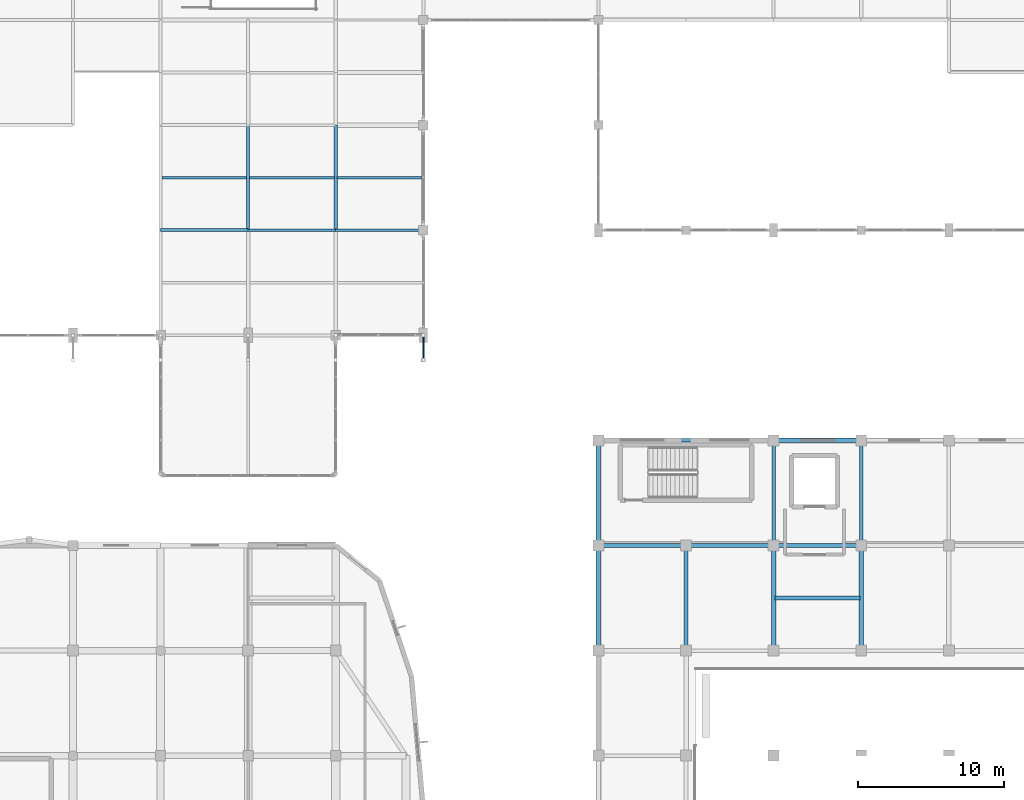
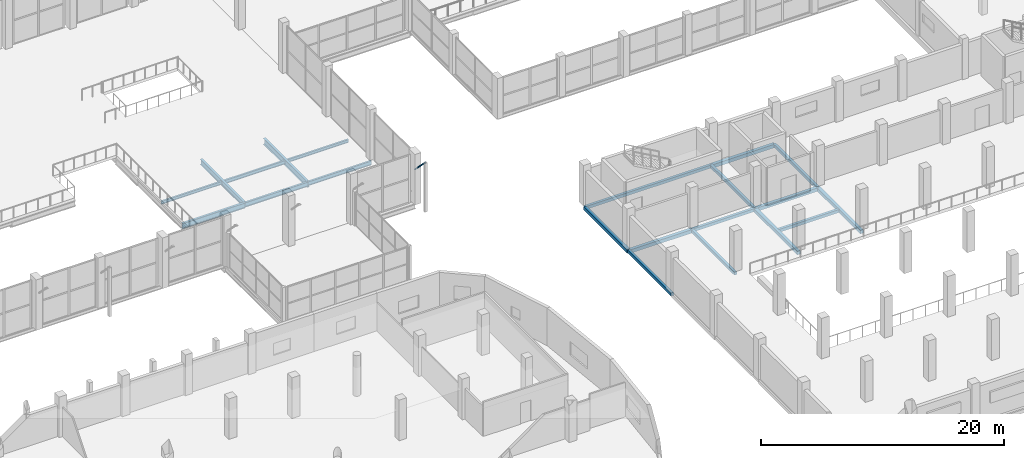
# One storey, part 33 of 127: 21 beams, 1 member.
"""IFC4 building model written with IfcOpenShell, lengths in metres."""

from ifc_helpers import new_model, si_unit, direction, frame, origin, origin_2d, place, context, subcontext, project, spatial, rectangle, hollow_circle, i_section, extrude, material, material_profile, profile_set, type_object, element, save


model = new_model("IFC4")

# Units and contexts
model_context = context("Model", 3, precision=1e-05, world=origin(), true_north=direction((0.0, 1.0)))
body_context = subcontext(model_context, "Body", "Model", "MODEL_VIEW")
ifc_project = project(units=[si_unit("LENGTHUNIT", "METRE"), si_unit("AREAUNIT", "SQUARE_METRE"), si_unit("VOLUMEUNIT", "CUBIC_METRE"), si_unit("PLANEANGLEUNIT", "RADIAN"), si_unit("MASSUNIT", "GRAM", prefix="KILO")], contexts=[model_context])

# Site, building, storey
site_placement = place(None, origin())
site = spatial("IfcSite", under=ifc_project, at=site_placement, CompositionType="ELEMENT")
building_placement = place(site_placement, origin())
building = spatial("IfcBuilding", under=site, at=building_placement, Name="Dunvalen Ferry Terminal", CompositionType="ELEMENT")
storey_placement = place(building_placement, frame((0.0, 0.0, 5.760009765625)))
storey = spatial("IfcBuildingStorey", under=building, at=storey_placement, Name="L01", CompositionType="ELEMENT", Elevation=5.760009765625)

# Beams
ifc_material_1 = material(Name="Concrete C35/45", Category="concrete")
ifc_material_profile_1 = material_profile(ifc_material_1, rectangle(XDim=0.25, YDim=0.300048828125, at=origin_2d()), Name="Concrete C35/45")
ifc_profile_set_1 = profile_set([ifc_material_profile_1], Name="Concrete C35/45")
beam_type_1 = type_object("IfcBeamType", Name="STR-BM-RCL300", PredefinedType="LINTEL", material=ifc_profile_set_1)
beam_1_placement = place(storey_placement, frame((114.0, 36.0, -0.469970703125), z_axis=(1.0, 0.0, 0.0), x_axis=(0.0, 1.0, 0.0)))
element("IfcBeam", 1, at=beam_1_placement, inside=storey, type_object=beam_type_1, Name="L01 V4 Primary Beam X-042", PredefinedType="LINTEL", context=body_context, shape_type="SweptSolid", body=[
    extrude(rectangle(XDim=0.25, YDim=0.300048828125, at=origin_2d()), origin(), (0.0, 0.0, 1.0), 6.0),
])
beam_2_placement = place(storey_placement, frame((108.0, 43.199951171875, -0.469970703125), z_axis=(1.0, 0.0, 0.0), x_axis=(0.0, 1.0, 0.0)))
element("IfcBeam", 2, at=beam_2_placement, inside=storey, type_object=beam_type_1, Name="L01 V4 Primary Beam X-050", PredefinedType="LINTEL", context=body_context, shape_type="SweptSolid", body=[
    extrude(rectangle(XDim=0.25, YDim=0.300048828125, at=origin_2d()), origin(), (0.0, 0.0, 1.0), 12.0),
])
for number, where, z_axis, x_axis, name in (
    (3, (108.0, 28.800048828125, -0.469970703125), (0.0, 1.0, 0.0), (-1.0, 0.0, 0.0), "L01 V4 Primary Girder Y-061"),
    (4, (114.0, 28.800048828125, -0.469970703125), (0.0, 1.0, 0.0), (-1.0, 0.0, 0.0), "L01 V4 Primary Girder Y-067"),
    (5, (120.0, 36.0, -0.469970703125), (0.0, 1.0, 0.0), (-1.0, 0.0, 0.0), "L01 V4 Primary Girder Y-071"),
    (6, (126.0, 36.0, -0.469970703125), (0.0, 1.0, 0.0), (-1.0, 0.0, 0.0), "L01 V4 Primary Girder Y-075"),
):
    element("IfcBeam", number, at=place(storey_placement, frame(where, z_axis=z_axis, x_axis=x_axis)), inside=storey, type_object=beam_type_1, Name=name, PredefinedType="LINTEL", context=body_context, shape_type="SweptSolid", body=[
        extrude(rectangle(XDim=0.25, YDim=0.300048828125, at=origin_2d()), origin(), (0.0, 0.0, 1.0), 7.199951171875),
    ])
beam_3_placement = place(storey_placement, frame((120.10009765625, 32.39990234375, -0.469970703125), z_axis=(1.0, 0.0, 0.0), x_axis=(0.0, 1.0, 0.0)))
element("IfcBeam", 7, at=beam_3_placement, inside=storey, type_object=beam_type_1, Name="L01 V4 Secondary Joist 002", PredefinedType="LINTEL", context=body_context, shape_type="SweptSolid", body=[
    extrude(rectangle(XDim=0.25, YDim=0.300048828125, at=origin_2d()), origin(), (0.0, 0.0, 1.0), 5.7998046875),
])
ifc_material_2 = material(Name="Concrete C40/50", Category="concrete")
ifc_material_profile_2 = material_profile(ifc_material_2, rectangle(XDim=0.300048828125, YDim=0.35009765625, at=origin_2d()), Name="Concrete C40/50")
ifc_profile_set_2 = profile_set([ifc_material_profile_2], Name="Concrete C40/50")
beam_type_2 = type_object("IfcBeamType", Name="STR-BM-RCL350", PredefinedType="LINTEL", material=ifc_profile_set_2)
for number, where, z_axis, x_axis, name in (
    (8, (108.0, 36.0, -0.4951171875), (1.0, 0.0, 0.0), (0.0, 1.0, 0.0), "L01 V4 Primary Beam X-041"),
    (9, (120.0, 36.0, -0.4951171875), (1.0, 0.0, 0.0), (0.0, 1.0, 0.0), "L01 V4 Primary Beam X-043"),
    (10, (120.0, 43.199951171875, -0.4951171875), (1.0, 0.0, 0.0), (0.0, 1.0, 0.0), "L01 V4 Primary Beam X-051"),
):
    element("IfcBeam", number, at=place(storey_placement, frame(where, z_axis=z_axis, x_axis=x_axis)), inside=storey, type_object=beam_type_2, Name=name, PredefinedType="LINTEL", context=body_context, shape_type="SweptSolid", body=[
        extrude(rectangle(XDim=0.300048828125, YDim=0.35009765625, at=origin_2d()), origin(), (0.0, 0.0, 1.0), 6.0),
    ])
for number, where, z_axis, x_axis, name in (
    (11, (108.0, 36.0, -0.4951171875), (0.0, 1.0, 0.0), (-1.0, 0.0, 0.0), "L01 V4 Primary Girder Y-062"),
    (12, (120.0, 28.800048828125, -0.4951171875), (0.0, 1.0, 0.0), (-1.0, 0.0, 0.0), "L01 V4 Primary Girder Y-070"),
    (13, (126.0, 28.800048828125, -0.4951171875), (0.0, 1.0, 0.0), (-1.0, 0.0, 0.0), "L01 V4 Primary Girder Y-074"),
):
    element("IfcBeam", number, at=place(storey_placement, frame(where, z_axis=z_axis, x_axis=x_axis)), inside=storey, type_object=beam_type_2, Name=name, PredefinedType="LINTEL", context=body_context, shape_type="SweptSolid", body=[
        extrude(rectangle(XDim=0.300048828125, YDim=0.35009765625, at=origin_2d()), origin(), (0.0, 0.0, 1.0), 7.199951171875),
    ])
ifc_material_3 = material(Name="Steel S355", Category="steel")
ifc_material_profile_3 = material_profile(ifc_material_3, i_section(OverallWidth=0.1650390625, OverallDepth=0.303466796875, WebThickness=0.006103515625, FlangeThickness=0.01025390625, FilletRadius=0.0087890625, at=origin_2d()), Name="Steel S355")
ifc_profile_set_3 = profile_set([ifc_material_profile_3], Name="Steel S355")
beam_type_3 = type_object("IfcBeamType", Name="STR-BM-UKB305", PredefinedType="JOIST", material=ifc_profile_set_3)
for number, where, z_axis, x_axis, name in (
    (14, (78.10009765625, 61.199951171875, -0.431640625), (1.0, 0.0, 0.0), (0.0, 1.0, 0.0), "L01 V1M Secondary Joist 029"),
    (15, (90.10009765625, 61.199951171875, -0.431640625), (1.0, 0.0, 0.0), (0.0, 1.0, 0.0), "L01 V1M Secondary Joist 035"),
):
    element("IfcBeam", number, at=place(storey_placement, frame(where, z_axis=z_axis, x_axis=x_axis)), inside=storey, type_object=beam_type_3, Name=name, PredefinedType="JOIST", context=body_context, shape_type="SweptSolid", body=[
        extrude(i_section(OverallWidth=0.1650390625, OverallDepth=0.303466796875, WebThickness=0.006103515625, FlangeThickness=0.01025390625, FilletRadius=0.0087890625, at=origin_2d()), origin(), (0.0, 0.0, 1.0), 5.7998046875),
    ])
ifc_material_profile_4 = material_profile(ifc_material_3, i_section(OverallWidth=0.17138671875, OverallDepth=0.35498046875, WebThickness=0.00732421875, FlangeThickness=0.011474609375, FilletRadius=0.01025390625, at=origin_2d()), Name="Steel S355")
ifc_profile_set_4 = profile_set([ifc_material_profile_4], Name="Steel S355")
beam_type_4 = type_object("IfcBeamType", Name="STR-BM-UKB356", PredefinedType="JOIST", material=ifc_profile_set_4)
beam_4_placement = place(storey_placement, frame((84.10009765625, 61.199951171875, -0.45751953125), z_axis=(1.0, 0.0, 0.0), x_axis=(0.0, 1.0, 0.0)))
element("IfcBeam", 16, at=beam_4_placement, inside=storey, type_object=beam_type_4, Name="L01 V1M Secondary Joist 032", PredefinedType="JOIST", context=body_context, shape_type="SweptSolid", body=[
    extrude(i_section(OverallWidth=0.17138671875, OverallDepth=0.35498046875, WebThickness=0.00732421875, FlangeThickness=0.011474609375, FilletRadius=0.01025390625, at=origin_2d()), origin(), (0.0, 0.0, 1.0), 5.7998046875),
])
ifc_material_profile_5 = material_profile(ifc_material_3, i_section(OverallWidth=0.177978515625, OverallDepth=0.406494140625, WebThickness=0.0078125, FlangeThickness=0.0126953125, FilletRadius=0.01025390625, at=origin_2d()), Name="Steel S355")
ifc_profile_set_5 = profile_set([ifc_material_profile_5], Name="Steel S355")
beam_type_5 = type_object("IfcBeamType", Name="STR-BM-UKB406", PredefinedType="JOIST", material=ifc_profile_set_5)
beam_5_placement = place(storey_placement, frame((90.0, 57.60009765625, -0.483154296875), z_axis=(1.0, 0.0, 0.0), x_axis=(0.0, 1.0, 0.0)))
element("IfcBeam", 17, at=beam_5_placement, inside=storey, type_object=beam_type_5, Name="L01 V1M Primary Beam X-014", PredefinedType="JOIST", context=body_context, shape_type="SweptSolid", body=[
    extrude(i_section(OverallWidth=0.177978515625, OverallDepth=0.406494140625, WebThickness=0.0078125, FlangeThickness=0.0126953125, FilletRadius=0.01025390625, at=origin_2d()), origin(), (0.0, 0.0, 1.0), 6.0),
])
ifc_material_profile_6 = material_profile(ifc_material_3, i_section(OverallWidth=0.1904296875, OverallDepth=0.45703125, WebThickness=0.009033203125, FlangeThickness=0.014404296875, FilletRadius=0.01025390625, at=origin_2d()), Name="Steel S355")
ifc_profile_set_6 = profile_set([ifc_material_profile_6], Name="Steel S355")
beam_type_6 = type_object("IfcBeamType", Name="STR-BM-UKB457", PredefinedType="BEAM", material=ifc_profile_set_6)
beam_6_placement = place(storey_placement, frame((84.0, 57.60009765625, -0.508544921875), z_axis=(1.0, 0.0, 0.0), x_axis=(0.0, 1.0, 0.0)))
element("IfcBeam", 18, at=beam_6_placement, inside=storey, type_object=beam_type_6, Name="L01 V1M Primary Beam X-013", PredefinedType="BEAM", context=body_context, shape_type="SweptSolid", body=[
    extrude(i_section(OverallWidth=0.1904296875, OverallDepth=0.45703125, WebThickness=0.009033203125, FlangeThickness=0.014404296875, FilletRadius=0.01025390625, at=origin_2d()), origin(), (0.0, 0.0, 1.0), 6.0),
])
ifc_material_profile_7 = material_profile(ifc_material_3, i_section(OverallWidth=0.209228515625, OverallDepth=0.533203125, WebThickness=0.010009765625, FlangeThickness=0.015625, FilletRadius=0.0126953125, at=origin_2d()), Name="Steel S355")
ifc_profile_set_7 = profile_set([ifc_material_profile_7], Name="Steel S355")
beam_type_7 = type_object("IfcBeamType", Name="STR-BM-UKB533", PredefinedType="BEAM", material=ifc_profile_set_7)
beam_7_placement = place(storey_placement, frame((78.0, 57.60009765625, -0.546630859375), z_axis=(1.0, 0.0, 0.0), x_axis=(0.0, 1.0, 0.0)))
element("IfcBeam", 19, at=beam_7_placement, inside=storey, type_object=beam_type_7, Name="L01 V1M Primary Beam X-012", PredefinedType="BEAM", context=body_context, shape_type="SweptSolid", body=[
    extrude(i_section(OverallWidth=0.209228515625, OverallDepth=0.533203125, WebThickness=0.010009765625, FlangeThickness=0.015625, FilletRadius=0.0126953125, at=origin_2d()), origin(), (0.0, 0.0, 1.0), 6.0),
])
beam_8_placement = place(storey_placement, frame((84.0, 57.60009765625, -0.546630859375), z_axis=(0.0, 1.0, 0.0), x_axis=(-1.0, 0.0, 0.0)))
element("IfcBeam", 20, at=beam_8_placement, inside=storey, type_object=beam_type_7, Name="L01 V1M Primary Girder Y-129", PredefinedType="BEAM", context=body_context, shape_type="SweptSolid", body=[
    extrude(i_section(OverallWidth=0.209228515625, OverallDepth=0.533203125, WebThickness=0.010009765625, FlangeThickness=0.015625, FilletRadius=0.0126953125, at=origin_2d()), origin(), (0.0, 0.0, 1.0), 7.199951171875),
])
ifc_material_profile_8 = material_profile(ifc_material_3, i_section(OverallWidth=0.228271484375, OverallDepth=0.607666015625, WebThickness=0.010986328125, FlangeThickness=0.017333984375, FilletRadius=0.0126953125, at=origin_2d()), Name="Steel S355")
ifc_profile_set_8 = profile_set([ifc_material_profile_8], Name="Steel S355")
beam_type_8 = type_object("IfcBeamType", Name="STR-BM-UKB610", PredefinedType="BEAM", material=ifc_profile_set_8)
beam_9_placement = place(storey_placement, frame((90.0, 57.60009765625, -0.583740234375), z_axis=(0.0, 1.0, 0.0), x_axis=(-1.0, 0.0, 0.0)))
element("IfcBeam", 21, at=beam_9_placement, inside=storey, type_object=beam_type_8, Name="L01 V1M Primary Girder Y-134", PredefinedType="BEAM", context=body_context, shape_type="SweptSolid", body=[
    extrude(i_section(OverallWidth=0.228271484375, OverallDepth=0.607666015625, WebThickness=0.010986328125, FlangeThickness=0.017333984375, FilletRadius=0.0126953125, at=origin_2d()), origin(), (0.0, 0.0, 1.0), 7.199951171875),
])

# Member
ifc_material_profile_9 = material_profile(ifc_material_3, hollow_circle(Radius=0.06982421875, WallThickness=0.00634765625, at=origin_2d()), Name="Steel S355")
ifc_profile_set_9 = profile_set([ifc_material_profile_9], Name="Steel S355")
member_type = type_object("IfcMemberType", Name="STR-MB-CHS139", PredefinedType="BRACE", material=ifc_profile_set_9)
member_placement = place(storey_placement, frame((96.0, 50.39990234375, 3.18994140625), z_axis=(0.0, -0.705028038092, 0.709179431106), x_axis=(1.0, 0.0, 0.0)))
element("IfcMember", 22, at=member_placement, inside=storey, type_object=member_type, Name="Departure Hall South Eave Knee Strut 15", PredefinedType="BRACE", context=body_context, shape_type="SweptSolid", body=[
    extrude(hollow_circle(Radius=0.06982421875, WallThickness=0.00634765625, at=origin_2d()), origin(), (0.0, 0.0, 1.0), 2.4111328125),
])

save(model, "model.ifc")
